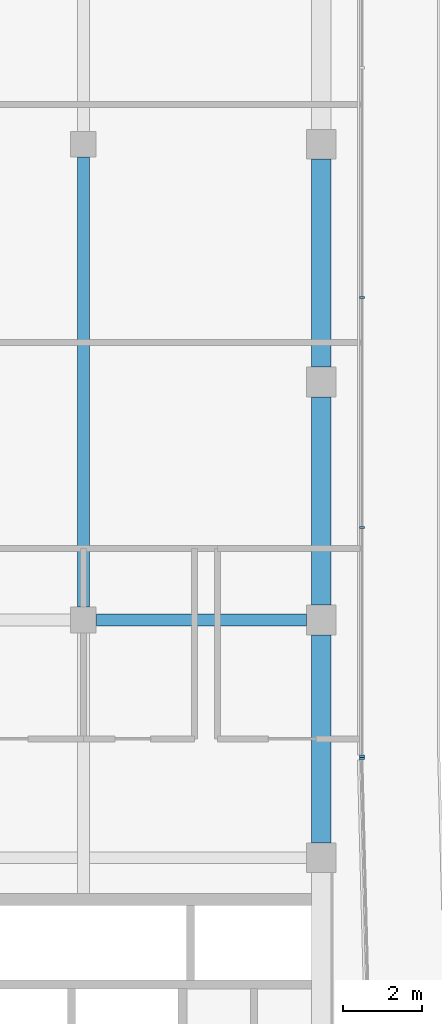
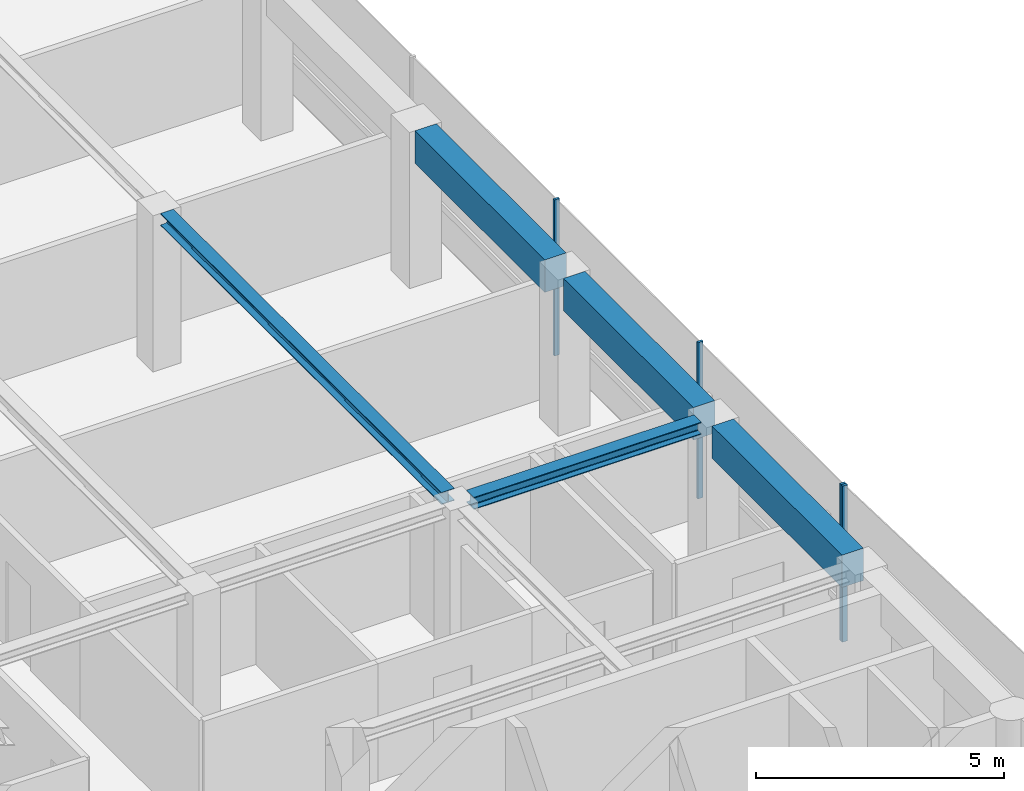
# One storey, part 8 of 20: 5 beams, 4 members, 2 elements without a shape of their own.
"""IFC4 building model written with IfcOpenShell, lengths in metres."""

from ifc_helpers import new_model, si_unit, direction, frame, origin, origin_2d, place, context, subcontext, project, spatial, rectangle, i_section, extrude, material, layer, layer_set, material_profile, profile_set, type_object, element, aggregate, save


model = new_model("IFC4")

# Units and contexts
model_context = context("Model", 3, precision=1e-05, world=origin(), true_north=direction((0.0, 1.0)))
body_context = subcontext(model_context, "Body", "Model", "MODEL_VIEW")
ifc_project = project(units=[si_unit("LENGTHUNIT", "METRE"), si_unit("AREAUNIT", "SQUARE_METRE"), si_unit("VOLUMEUNIT", "CUBIC_METRE"), si_unit("PLANEANGLEUNIT", "RADIAN"), si_unit("MASSUNIT", "GRAM", prefix="KILO")], contexts=[model_context])

# Site, building, storey
site_placement = place(None, origin())
site = spatial("IfcSite", under=ifc_project, at=site_placement, CompositionType="ELEMENT")
building_placement = place(site_placement, origin())
building = spatial("IfcBuilding", under=site, at=building_placement, Name="Welwitschia Terrace Campus", CompositionType="ELEMENT")
storey_placement = place(building_placement, frame((0.0, 0.0, 293.60009765625)))
storey = spatial("IfcBuildingStorey", under=building, at=storey_placement, Name="L65", CompositionType="ELEMENT", Elevation=293.60009765625)

# Beams
ifc_material_1 = material(Name="Steel S355", Category="steel")
ifc_material_profile_1 = material_profile(ifc_material_1, i_section(OverallWidth=0.300048828125, OverallDepth=0.300048828125, WebThickness=0.010986328125, FlangeThickness=0.01904296875, FilletRadius=0.027099609375, at=origin_2d()))
ifc_profile_set_1 = profile_set([ifc_material_profile_1], Name="Steel S355")
beam_type_1 = type_object("IfcBeamType", Name="Interior girder HE 300 B", PredefinedType="BEAM", material=ifc_profile_set_1)
beam_1_placement = place(storey_placement, frame((18.325439453125, 32.0, 3.699951171875), z_axis=(1.0, 0.0, 0.0), x_axis=(0.0, 1.0, 0.0)))
element("IfcBeam", 1, at=beam_1_placement, inside=storey, type_object=beam_type_1, Name="Girder GB6", PredefinedType="BEAM", context=body_context, shape_type="SweptSolid", body=[
    extrude(i_section(OverallWidth=0.300048828125, OverallDepth=0.300048828125, WebThickness=0.010986328125, FlangeThickness=0.01904296875, FilletRadius=0.027099609375, at=origin_2d()), origin(), (0.0, 0.0, 1.0), 5.30908203125),
])
beam_2_placement = place(storey_placement, frame((18.0, 32.325439453125, 3.699951171875), z_axis=(0.0, 1.0, 0.0), x_axis=(-1.0, 0.0, 0.0)))
element("IfcBeam", 2, at=beam_2_placement, inside=storey, type_object=beam_type_1, Name="Girder GB6", PredefinedType="BEAM", context=body_context, shape_type="SweptSolid", body=[
    extrude(i_section(OverallWidth=0.300048828125, OverallDepth=0.300048828125, WebThickness=0.010986328125, FlangeThickness=0.01904296875, FilletRadius=0.027099609375, at=origin_2d()), origin(), (0.0, 0.0, 1.0), 11.34912109375),
])

# Curtain wall, member
ifc_material_2 = material(Name="Bronze anodised aluminium", Category="aluminium")
ifc_layer = layer(ifc_material_2, 0.1201171875)
ifc_layer_set = layer_set([ifc_layer], Name="Bronze anodised aluminium")
curtain_wall_type = type_object("IfcCurtainWallType", Name="Curtain wall CW2 tower 6000", PredefinedType="NOTDEFINED", material=ifc_layer_set)
curtain_wall_1_placement = place(storey_placement, origin())
curtain_wall_1 = element("IfcCurtainWall", 3, at=curtain_wall_1_placement, inside=storey, type_object=curtain_wall_type, Name="CW L65.8.0", PredefinedType="NOTDEFINED")
ifc_material_3 = material(Name="Bronze anodised aluminium", Category="aluminium")
ifc_material_profile_2 = material_profile(ifc_material_3, rectangle(XDim=0.1201171875, YDim=0.06005859375, at=origin_2d()))
ifc_profile_set_2 = profile_set([ifc_material_profile_2], Name="Bronze anodised aluminium")
member_type = type_object("IfcMemberType", Name="Mullion 60x120", PredefinedType="MULLION", material=ifc_profile_set_2)
member_1_placement = place(storey_placement, frame((25.03076171875, 28.5029296875, 0.0), z_axis=(0.0, 0.0, 1.0), x_axis=(-0.999657324976, -0.026176948308, 0.0)))
member_1 = element("IfcMember", 4, at=member_1_placement, type_object=member_type, Name="Mullion L65.8.0.1", PredefinedType="MULLION", context=body_context, shape_type="SweptSolid", body=[
    extrude(rectangle(XDim=0.1201171875, YDim=0.06005859375, at=origin_2d()), origin(), (0.0, 0.0, 1.0), 3.849853515625),
])
aggregate(curtain_wall_1, [member_1])

# Curtain wall, members
curtain_wall_2_placement = place(storey_placement, origin())
curtain_wall_2 = element("IfcCurtainWall", 5, at=curtain_wall_2_placement, inside=storey, type_object=curtain_wall_type, Name="CW L65.9.0", PredefinedType="NOTDEFINED")
member_2_placement = place(storey_placement, frame((25.030029296875, 28.562744140625, 0.0), z_axis=(0.0, 0.0, 1.0), x_axis=(-1.0, 0.0, 0.0)))
member_2 = element("IfcMember", 6, at=member_2_placement, type_object=member_type, Name="Mullion L65.9.0.0", PredefinedType="MULLION", context=body_context, shape_type="SweptSolid", body=[
    extrude(rectangle(XDim=0.1201171875, YDim=0.06005859375, at=origin_2d()), origin(), (0.0, 0.0, 1.0), 3.849853515625),
])
member_3_placement = place(storey_placement, frame((25.030029296875, 34.33251953125, 0.0), z_axis=(0.0, 0.0, 1.0), x_axis=(-1.0, 0.0, 0.0)))
member_3 = element("IfcMember", 7, at=member_3_placement, type_object=member_type, Name="Mullion L65.9.0.1", PredefinedType="MULLION", context=body_context, shape_type="SweptSolid", body=[
    extrude(rectangle(XDim=0.1201171875, YDim=0.06005859375, at=origin_2d()), origin(), (0.0, 0.0, 1.0), 3.849853515625),
])
member_4_placement = place(storey_placement, frame((25.030029296875, 40.13232421875, 0.0), z_axis=(0.0, 0.0, 1.0), x_axis=(-1.0, 0.0, 0.0)))
member_4 = element("IfcMember", 8, at=member_4_placement, type_object=member_type, Name="Mullion L65.9.0.2", PredefinedType="MULLION", context=body_context, shape_type="SweptSolid", body=[
    extrude(rectangle(XDim=0.1201171875, YDim=0.06005859375, at=origin_2d()), origin(), (0.0, 0.0, 1.0), 3.849853515625),
])
aggregate(curtain_wall_2, [member_2, member_3, member_4])

# Beams
ifc_material_4 = material(Name="Concrete C50/60", Category="concrete")
ifc_material_profile_3 = material_profile(ifc_material_4, rectangle(XDim=0.5, YDim=0.800048828125, at=origin_2d()))
ifc_profile_set_3 = profile_set([ifc_material_profile_3], Name="Concrete C50/60")
beam_type_2 = type_object("IfcBeamType", Name="Ring spandrel 500x800", PredefinedType="SPANDREL", material=ifc_profile_set_3)
for number, where, z_axis, x_axis, name in (
    (9, (24.0, 26.37548828125, 3.449951171875), (0.0, 1.0, 0.0), (-1.0, 0.0, 0.0), "Spandrel SP4"),
    (10, (24.0, 32.37548828125, 3.449951171875), (0.0, 1.0, 0.0), (-1.0, 0.0, 0.0), "Spandrel SP4"),
    (11, (24.0, 38.37548828125, 3.449951171875), (0.0, 1.0, 0.0), (-1.0, 0.0, 0.0), "Spandrel SP4"),
):
    element("IfcBeam", number, at=place(storey_placement, frame(where, z_axis=z_axis, x_axis=x_axis)), inside=storey, type_object=beam_type_2, Name=name, PredefinedType="SPANDREL", context=body_context, shape_type="SweptSolid", body=[
        extrude(rectangle(XDim=0.5, YDim=0.800048828125, at=origin_2d()), origin(), (0.0, 0.0, 1.0), 5.2490234375),
    ])

save(model, "model.ifc")
